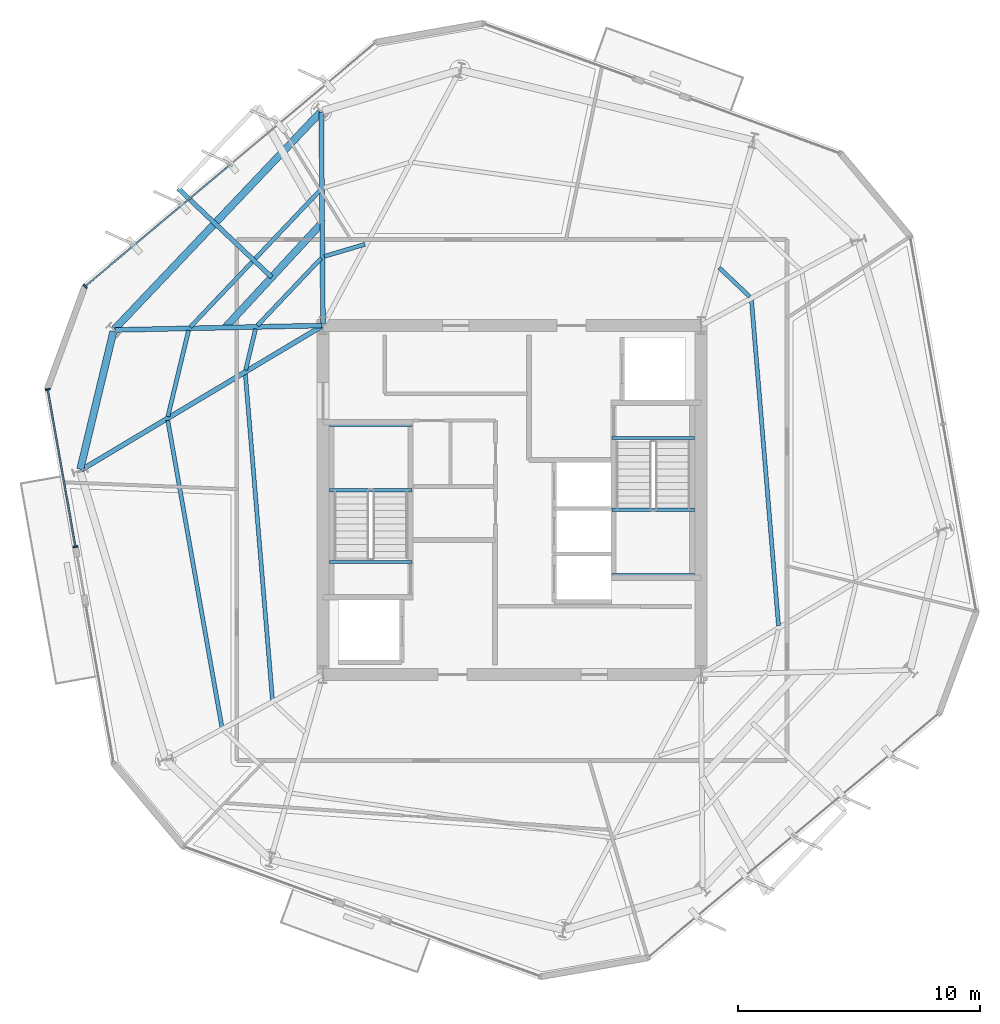
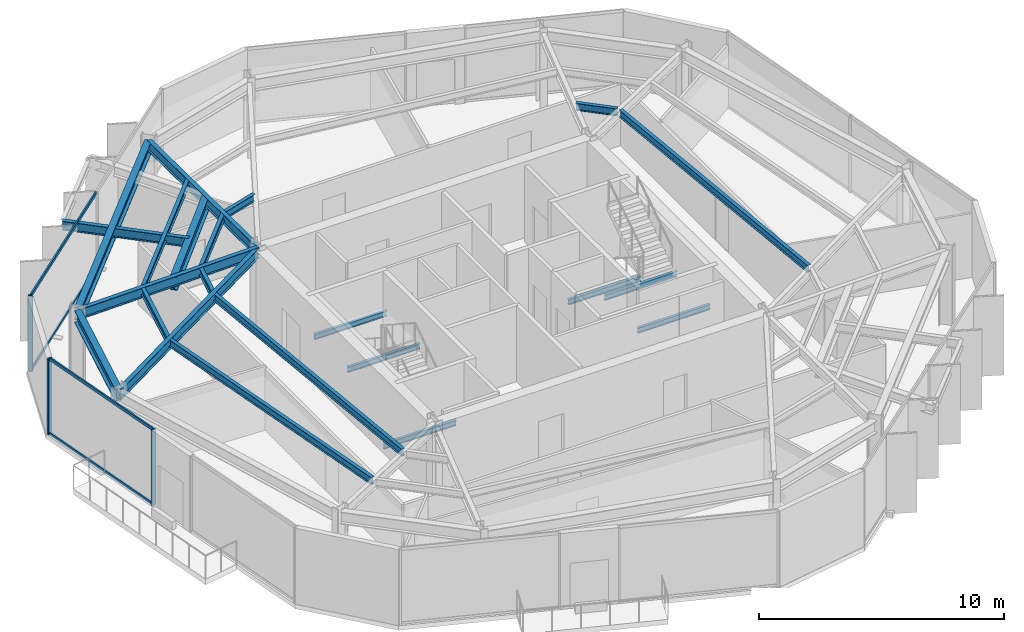
# One storey, part 3 of 11: 22 beams, 7 members, 2 elements without a shape of their own.
"""IFC4 building model written with IfcOpenShell, lengths in metres."""

from ifc_helpers import new_model, si_unit, direction, frame, origin, origin_2d, place, context, subcontext, project, spatial, rectangle, i_section, extrude, material, layer, layer_set, material_profile, profile_set, type_object, element, aggregate, save


model = new_model("IFC4")

# Units and contexts
model_context = context("Model", 3, precision=1e-05, world=origin(), true_north=direction((0.0, 1.0)))
body_context = subcontext(model_context, "Body", "Model", "MODEL_VIEW")
ifc_project = project(units=[si_unit("LENGTHUNIT", "METRE"), si_unit("AREAUNIT", "SQUARE_METRE"), si_unit("VOLUMEUNIT", "CUBIC_METRE"), si_unit("PLANEANGLEUNIT", "RADIAN"), si_unit("MASSUNIT", "GRAM", prefix="KILO")], contexts=[model_context])

# Site, building, storey
site_placement = place(None, origin())
site = spatial("IfcSite", under=ifc_project, at=site_placement, CompositionType="ELEMENT")
building_placement = place(site_placement, origin())
building = spatial("IfcBuilding", under=site, at=building_placement, Name="Kranzbogen Civic Tower", CompositionType="ELEMENT")
storey_placement = place(building_placement, frame((0.0, 0.0, 184.800048828125)))
storey = spatial("IfcBuildingStorey", under=building, at=storey_placement, Name="L44", CompositionType="ELEMENT", Elevation=184.800048828125)

# Beam
ifc_material_1 = material(Name="Steel S355", Category="steel")
ifc_material_profile_1 = material_profile(ifc_material_1, i_section(OverallWidth=0.18994140625, OverallDepth=0.449951171875, WebThickness=0.009521484375, FlangeThickness=0.0146484375, at=origin_2d()), Name="IPE 450")
ifc_profile_set_1 = profile_set([ifc_material_profile_1], Name="Steel S355")
beam_type_1 = type_object("IfcBeamType", Name="Braced Terrace Edge Beam IPE 450", PredefinedType="BEAM", material=ifc_profile_set_1)
beam_1_placement = place(storey_placement, frame((15.0859375, 34.19189453125, 3.52490234375), z_axis=(-0.725373141087, 0.688355871762, 0.0), x_axis=(-0.688355871762, -0.725373141087, 0.0)))
element("IfcBeam", 1, at=beam_1_placement, inside=storey, type_object=beam_type_1, Name="L45 back-spanned terrace beam L45-TB2-2", PredefinedType="BEAM", context=body_context, shape_type="SweptSolid", body=[
    extrude(i_section(OverallWidth=0.18994140625, OverallDepth=0.449951171875, WebThickness=0.009521484375, FlangeThickness=0.0146484375, at=origin_2d()), origin(), (0.0, 0.0, 1.0), 5.31591796875),
])

# Curtain wall, member
ifc_material_2 = material(Name="Pale Anodised Aluminium", Category="aluminium")
ifc_layer = layer(ifc_material_2, 0.219970703125, Name="Pale Anodised Aluminium")
ifc_layer_set = layer_set([ifc_layer], Name="Pale Anodised Aluminium")
curtain_wall_type = type_object("IfcCurtainWallType", Name="Zone 3 Stick Curtain Wall System CW-04", PredefinedType="USERDEFINED", material=ifc_layer_set)
curtain_wall_1_placement = place(storey_placement, origin())
curtain_wall_1 = element("IfcCurtainWall", 2, at=curtain_wall_1_placement, inside=storey, type_object=curtain_wall_type, Name="L44 curtain wall CW-L44-F2", ObjectType="STICK CURTAIN WALL", PredefinedType="USERDEFINED")
ifc_material_profile_2 = material_profile(ifc_material_2, rectangle(XDim=0.070068359375, YDim=0.199951171875, at=origin_2d()), Name="ALU-M 70x200")
ifc_profile_set_2 = profile_set([ifc_material_profile_2], Name="Pale Anodised Aluminium")
member_type_1 = type_object("IfcMemberType", Name="Curtain Wall Mullion ALU-M 70x200", PredefinedType="MULLION", material=ifc_profile_set_2)
member_1_placement = place(storey_placement, frame((7.389892578125, 33.815185546875, 0.0), z_axis=(0.0, 0.0, 1.0), x_axis=(-0.766072212874, -0.642754513529, 0.0)))
member_1 = element("IfcMember", 3, at=member_1_placement, type_object=member_type_1, Name="CW-04 mullion 3", PredefinedType="MULLION", context=body_context, shape_type="SweptSolid", body=[
    extrude(rectangle(XDim=0.070068359375, YDim=0.199951171875, at=origin_2d()), origin(), (0.0, 0.0, 1.0), 3.780029296875),
])

# Curtain wall, members
curtain_wall_2_placement = place(storey_placement, origin())
curtain_wall_2 = element("IfcCurtainWall", 4, at=curtain_wall_2_placement, inside=storey, type_object=curtain_wall_type, Name="L44 curtain wall CW-L44-F3-S1", ObjectType="STICK CURTAIN WALL", PredefinedType="USERDEFINED")
member_2_placement = place(storey_placement, frame((5.84423828125, 29.56640625, 0.0), z_axis=(0.0, 0.0, 1.0), x_axis=(0.173605264532, -0.984815318792, 0.0)))
member_2 = element("IfcMember", 5, at=member_2_placement, type_object=member_type_1, Name="CW-04 mullion 1", PredefinedType="MULLION", context=body_context, shape_type="SweptSolid", body=[
    extrude(rectangle(XDim=0.070068359375, YDim=0.199951171875, at=origin_2d()), origin(), (0.0, 0.0, 1.0), 3.780029296875),
])
member_3_placement = place(storey_placement, frame((6.98876953125, 23.073486328125, 0.0), z_axis=(0.0, 0.0, 1.0), x_axis=(0.173605264532, -0.984815318792, 0.0)))
member_3 = element("IfcMember", 6, at=member_3_placement, type_object=member_type_1, Name="CW-04 mullion 2", PredefinedType="MULLION", context=body_context, shape_type="SweptSolid", body=[
    extrude(rectangle(XDim=0.070068359375, YDim=0.199951171875, at=origin_2d()), origin(), (0.0, 0.0, 1.0), 3.780029296875),
])

# Member
ifc_material_profile_3 = material_profile(ifc_material_2, rectangle(XDim=0.070068359375, YDim=0.14990234375, at=origin_2d()), Name="ALU-T 70x150")
ifc_profile_set_3 = profile_set([ifc_material_profile_3], Name="Pale Anodised Aluminium")
member_type_2 = type_object("IfcMemberType", Name="Curtain Wall Transom ALU-T 70x150", PredefinedType="USERDEFINED", material=ifc_profile_set_3)
member_4_placement = place(storey_placement, frame((13.360595703125, 38.82470703125, 0.030029296875), z_axis=(-0.766064667028, -0.642763507001, 0.0), x_axis=(0.642763507001, -0.766064667028, 0.0)))
member_4 = element("IfcMember", 7, at=member_4_placement, type_object=member_type_2, Name="CW-04 transom 2.1", ObjectType="TRANSOM", PredefinedType="USERDEFINED", context=body_context, shape_type="SweptSolid", body=[
    extrude(rectangle(XDim=0.070068359375, YDim=0.14990234375, at=origin_2d()), origin(), (0.0, 0.0, 1.0), 7.763671875),
])

member_5_placement = place(storey_placement, frame((13.360595703125, 38.82470703125, 3.75), z_axis=(-0.766064667028, -0.642763507001, 0.0), x_axis=(0.642763507001, -0.766064667028, 0.0)))
member_5 = element("IfcMember", 8, at=member_5_placement, type_object=member_type_2, Name="CW-04 transom 2.2", ObjectType="TRANSOM", PredefinedType="USERDEFINED", context=body_context, shape_type="SweptSolid", body=[
    extrude(rectangle(XDim=0.070068359375, YDim=0.14990234375, at=origin_2d()), origin(), (0.0, 0.0, 1.0), 7.763671875),
])

aggregate(curtain_wall_1, [member_1, member_4, member_5])

member_6_placement = place(storey_placement, frame((5.849365234375, 29.536865234375, 0.030029296875), z_axis=(0.17362117923, -0.984812513183, 0.0), x_axis=(0.984812513183, 0.17362117923, 0.0)))
member_6 = element("IfcMember", 9, at=member_6_placement, type_object=member_type_2, Name="CW-04 transom 1.1", ObjectType="TRANSOM", PredefinedType="USERDEFINED", context=body_context, shape_type="SweptSolid", body=[
    extrude(rectangle(XDim=0.070068359375, YDim=0.14990234375, at=origin_2d()), origin(), (0.0, 0.0, 1.0), 6.532958984375),
])

member_7_placement = place(storey_placement, frame((5.849365234375, 29.536865234375, 3.75), z_axis=(0.17362117923, -0.984812513183, 0.0), x_axis=(0.984812513183, 0.17362117923, 0.0)))
member_7 = element("IfcMember", 10, at=member_7_placement, type_object=member_type_2, Name="CW-04 transom 1.2", ObjectType="TRANSOM", PredefinedType="USERDEFINED", context=body_context, shape_type="SweptSolid", body=[
    extrude(rectangle(XDim=0.070068359375, YDim=0.14990234375, at=origin_2d()), origin(), (0.0, 0.0, 1.0), 6.532958984375),
])

aggregate(curtain_wall_2, [member_2, member_3, member_6, member_7])

# Beams
ifc_material_profile_4 = material_profile(ifc_material_1, i_section(OverallWidth=0.300048828125, OverallDepth=0.60009765625, WebThickness=0.015380859375, FlangeThickness=0.030029296875, at=origin_2d()), Name="HEB 600")
ifc_profile_set_4 = profile_set([ifc_material_profile_4], Name="Steel S355")
beam_type_2 = type_object("IfcBeamType", Name="Perimeter Tube Spandrel Beam HEB 600", PredefinedType="SPANDREL", material=ifc_profile_set_4)
beam_2_placement = place(storey_placement, frame((17.092041015625, 41.0, 3.47998046875), z_axis=(-0.688373497874, -0.725356414065, 0.0), x_axis=(0.725356414065, -0.688373497874, 0.0)))
element("IfcBeam", 11, at=beam_2_placement, inside=storey, type_object=beam_type_2, Name="L44 perimeter spandrel beam 10", PredefinedType="SPANDREL", context=body_context, shape_type="SweptSolid", body=[
    extrude(i_section(OverallWidth=0.300048828125, OverallDepth=0.60009765625, WebThickness=0.015380859375, FlangeThickness=0.030029296875, at=origin_2d()), origin(), (0.0, 0.0, 1.0), 12.324951171875),
])
beam_3_placement = place(storey_placement, frame((8.552978515625, 31.9580078125, 3.47998046875), z_axis=(-0.233554380434, -0.972343741369, 0.0), x_axis=(0.972343741369, -0.233554380434, 0.0)))
element("IfcBeam", 12, at=beam_3_placement, inside=storey, type_object=beam_type_2, Name="L44 perimeter spandrel beam 11", PredefinedType="SPANDREL", context=body_context, shape_type="SweptSolid", body=[
    extrude(i_section(OverallWidth=0.300048828125, OverallDepth=0.60009765625, WebThickness=0.015380859375, FlangeThickness=0.030029296875, at=origin_2d()), origin(), (0.0, 0.0, 1.0), 5.852783203125),
])
ifc_material_profile_5 = material_profile(ifc_material_1, i_section(OverallWidth=0.300048828125, OverallDepth=0.699951171875, WebThickness=0.01708984375, FlangeThickness=0.031982421875, at=origin_2d()), Name="HEB 700")
ifc_profile_set_5 = profile_set([ifc_material_profile_5], Name="Steel S355")
beam_type_3 = type_object("IfcBeamType", Name="Perimeter Tube Spandrel Beam HEB 700", PredefinedType="SPANDREL", material=ifc_profile_set_5)
beam_4_placement = place(storey_placement, frame((17.16796875, 36.444091796875, 3.39990234375), z_axis=(-0.678733988671, -0.734384213218, 0.0), x_axis=(0.734384213218, -0.678733988671, 0.0)))
element("IfcBeam", 13, at=beam_4_placement, inside=storey, type_object=beam_type_3, Name="L45 balcony back-span header girder L45-TB2", PredefinedType="SPANDREL", context=body_context, shape_type="SweptSolid", body=[
    extrude(i_section(OverallWidth=0.300048828125, OverallDepth=0.699951171875, WebThickness=0.01708984375, FlangeThickness=0.031982421875, at=origin_2d()), origin(), (0.0, 0.0, 1.0), 5.896240234375),
])
ifc_material_profile_6 = material_profile(ifc_material_1, i_section(OverallWidth=0.199951171875, OverallDepth=0.5, WebThickness=0.01025390625, FlangeThickness=0.01611328125, at=origin_2d()), Name="IPE 500")
ifc_profile_set_6 = profile_set([ifc_material_profile_6], Name="Steel S355")
beam_type_4 = type_object("IfcBeamType", Name="Radial Tower Floor Girder IPE 500", PredefinedType="BEAM", material=ifc_profile_set_6)
beam_5_placement = place(storey_placement, frame((17.133056640625, 40.98388671875, 3.530029296875), z_axis=(0.007667756557, -0.999970602323, 0.0), x_axis=(0.999970602323, 0.007667756557, 0.0)))
element("IfcBeam", 14, at=beam_5_placement, inside=storey, type_object=beam_type_4, Name="L44 radial floor girder 10", PredefinedType="BEAM", context=body_context, shape_type="SweptSolid", body=[
    extrude(i_section(OverallWidth=0.199951171875, OverallDepth=0.5, WebThickness=0.01025390625, FlangeThickness=0.01611328125, at=origin_2d()), origin(), (0.0, 0.0, 1.0), 8.72412109375),
])
beam_6_placement = place(storey_placement, frame((8.626953125, 32.01708984375, 3.530029296875), z_axis=(0.99977183191, 0.021360808018, 0.0), x_axis=(-0.021360808018, 0.99977183191, 0.0)))
element("IfcBeam", 15, at=beam_6_placement, inside=storey, type_object=beam_type_4, Name="L44 radial floor girder 11", PredefinedType="BEAM", context=body_context, shape_type="SweptSolid", body=[
    extrude(i_section(OverallWidth=0.199951171875, OverallDepth=0.5, WebThickness=0.01025390625, FlangeThickness=0.01611328125, at=origin_2d()), origin(), (0.0, 0.0, 1.0), 8.514892578125),
])
beam_7_placement = place(storey_placement, frame((7.22412109375, 26.239990234375, 3.530029296875), z_axis=(0.858458551809, 0.512882944565, 0.0), x_axis=(-0.512882944565, 0.858458551809, 0.0)))
element("IfcBeam", 16, at=beam_7_placement, inside=storey, type_object=beam_type_4, Name="L44 radial floor girder 12", PredefinedType="BEAM", context=body_context, shape_type="SweptSolid", body=[
    extrude(i_section(OverallWidth=0.199951171875, OverallDepth=0.5, WebThickness=0.01025390625, FlangeThickness=0.01611328125, at=origin_2d()), origin(), (0.0, 0.0, 1.0), 11.56005859375),
])
ifc_material_profile_7 = material_profile(ifc_material_1, i_section(OverallWidth=0.169921875, OverallDepth=0.360107421875, WebThickness=0.008056640625, FlangeThickness=0.0126953125, at=origin_2d()), Name="IPE 360")
ifc_profile_set_7 = profile_set([ifc_material_profile_7], Name="Steel S355")
beam_type_5 = type_object("IfcBeamType", Name="Secondary Composite Floor Joist IPE 360", PredefinedType="JOIST", material=ifc_profile_set_7)
beam_8_placement = place(storey_placement, frame((36.001953125, 19.797119140625, 3.599853515625), z_axis=(-0.082825426692, 0.996564071544, 0.0), x_axis=(-0.996564071544, -0.082825426692, 0.0)))
element("IfcBeam", 17, at=beam_8_placement, inside=storey, type_object=beam_type_5, Name="L44 secondary floor joist 2.06", PredefinedType="JOIST", context=body_context, shape_type="SweptSolid", body=[
    extrude(i_section(OverallWidth=0.169921875, OverallDepth=0.360107421875, WebThickness=0.008056640625, FlangeThickness=0.0126953125, at=origin_2d()), origin(), (0.0, 0.0, 1.0), 13.497314453125),
])
beam_9_placement = place(storey_placement, frame((34.820068359375, 33.383056640625, 3.599853515625), z_axis=(-0.725479767774, 0.688243493649, 0.0), x_axis=(-0.688243493649, -0.725479767774, 0.0)))
element("IfcBeam", 18, at=beam_9_placement, inside=storey, type_object=beam_type_5, Name="L44 secondary floor joist 2.07", PredefinedType="JOIST", context=body_context, shape_type="SweptSolid", body=[
    extrude(i_section(OverallWidth=0.169921875, OverallDepth=0.360107421875, WebThickness=0.008056640625, FlangeThickness=0.0126953125, at=origin_2d()), origin(), (0.0, 0.0, 1.0), 1.75048828125),
])
beam_10_placement = place(storey_placement, frame((18.93408203125, 35.550048828125, 3.599853515625), z_axis=(-0.958871214757, -0.283841493638, 0.0), x_axis=(0.283841493638, -0.958871214757, 0.0)))
element("IfcBeam", 19, at=beam_10_placement, inside=storey, type_object=beam_type_5, Name="L44 secondary floor joist 2.09", PredefinedType="JOIST", context=body_context, shape_type="SweptSolid", body=[
    extrude(i_section(OverallWidth=0.169921875, OverallDepth=0.360107421875, WebThickness=0.008056640625, FlangeThickness=0.0126953125, at=origin_2d()), origin(), (0.0, 0.0, 1.0), 1.751220703125),
])
beam_11_placement = place(storey_placement, frame((17.10205078125, 37.802001953125, 3.599853515625), z_axis=(-0.688282381634, -0.725442873789, 0.0), x_axis=(0.725442873789, -0.688282381634, 0.0)))
element("IfcBeam", 20, at=beam_11_placement, inside=storey, type_object=beam_type_5, Name="L44 secondary floor joist 1.10", PredefinedType="JOIST", context=body_context, shape_type="SweptSolid", body=[
    extrude(i_section(OverallWidth=0.169921875, OverallDepth=0.360107421875, WebThickness=0.008056640625, FlangeThickness=0.0126953125, at=origin_2d()), origin(), (0.0, 0.0, 1.0), 7.804931640625),
])
beam_12_placement = place(storey_placement, frame((17.123046875, 34.971923828125, 3.599853515625), z_axis=(-0.688175084876, -0.725544659243, 0.0), x_axis=(0.725544659243, -0.688175084876, 0.0)))
element("IfcBeam", 21, at=beam_12_placement, inside=storey, type_object=beam_type_5, Name="L44 secondary floor joist 2.10", PredefinedType="JOIST", context=body_context, shape_type="SweptSolid", body=[
    extrude(i_section(OverallWidth=0.169921875, OverallDepth=0.360107421875, WebThickness=0.008056640625, FlangeThickness=0.0126953125, at=origin_2d()), origin(), (0.0, 0.0, 1.0), 3.82177734375),
])
beam_13_placement = place(storey_placement, frame((11.656005859375, 32.00390625, 3.599853515625), z_axis=(-0.233534367714, -0.972348548154, 0.0), x_axis=(0.972348548154, -0.233534367714, 0.0)))
element("IfcBeam", 22, at=beam_13_placement, inside=storey, type_object=beam_type_5, Name="L44 secondary floor joist 1.11", PredefinedType="JOIST", context=body_context, shape_type="SweptSolid", body=[
    extrude(i_section(OverallWidth=0.169921875, OverallDepth=0.360107421875, WebThickness=0.008056640625, FlangeThickness=0.0126953125, at=origin_2d()), origin(), (0.0, 0.0, 1.0), 3.6611328125),
])
beam_14_placement = place(storey_placement, frame((14.4189453125, 32.06298828125, 3.599853515625), z_axis=(-0.233631438607, -0.972325228972, 0.0), x_axis=(0.972325228972, -0.233631438607, 0.0)))
element("IfcBeam", 23, at=beam_14_placement, inside=storey, type_object=beam_type_5, Name="L44 secondary floor joist 2.11", PredefinedType="JOIST", context=body_context, shape_type="SweptSolid", body=[
    extrude(i_section(OverallWidth=0.169921875, OverallDepth=0.360107421875, WebThickness=0.008056640625, FlangeThickness=0.0126953125, at=origin_2d()), origin(), (0.0, 0.0, 1.0), 1.750244140625),
])
beam_15_placement = place(storey_placement, frame((10.7958984375, 28.287109375, 3.599853515625), z_axis=(0.173805911364, -0.984779927281, 0.0), x_axis=(0.984779927281, 0.173805911364, 0.0)))
element("IfcBeam", 24, at=beam_15_placement, inside=storey, type_object=beam_type_5, Name="L44 secondary floor joist 1.12", PredefinedType="JOIST", context=body_context, shape_type="SweptSolid", body=[
    extrude(i_section(OverallWidth=0.169921875, OverallDepth=0.360107421875, WebThickness=0.008056640625, FlangeThickness=0.0126953125, at=origin_2d()), origin(), (0.0, 0.0, 1.0), 12.85986328125),
])
beam_16_placement = place(storey_placement, frame((13.998046875, 30.202880859375, 3.599853515625), z_axis=(0.082825426692, -0.996564071544, 0.0), x_axis=(0.996564071544, 0.082825426692, 0.0)))
element("IfcBeam", 25, at=beam_16_placement, inside=storey, type_object=beam_type_5, Name="L44 secondary floor joist 2.12", PredefinedType="JOIST", context=body_context, shape_type="SweptSolid", body=[
    extrude(i_section(OverallWidth=0.169921875, OverallDepth=0.360107421875, WebThickness=0.008056640625, FlangeThickness=0.0126953125, at=origin_2d()), origin(), (0.0, 0.0, 1.0), 13.497314453125),
])
ifc_material_profile_8 = material_profile(ifc_material_1, i_section(OverallWidth=0.135009765625, OverallDepth=0.27001953125, WebThickness=0.006591796875, FlangeThickness=0.01025390625, at=origin_2d()), Name="IPE 270")
ifc_profile_set_8 = profile_set([ifc_material_profile_8], Name="Steel S355")
beam_type_6 = type_object("IfcBeamType", Name="Stair Landing Support Beam IPE 270", PredefinedType="JOIST", material=ifc_profile_set_8)
for number, where, z_axis, x_axis, name in (
    (26, (20.8798828125, 22.43994140625, -0.35498046875), (-1.0, 0.0, 0.0), (0.0, -1.0, 0.0), "L44 ST-T1 stair floor header beam"),
    (27, (20.8798828125, 25.39990234375, 1.6650390625), (-1.0, 0.0, 0.0), (0.0, -1.0, 0.0), "L44 ST-T1 landing support beam 1.1"),
    (28, (20.8798828125, 28.10009765625, 1.6650390625), (-1.0, 0.0, 0.0), (0.0, -1.0, 0.0), "L44 ST-T1 landing support beam 1.2"),
    (29, (29.1201171875, 27.56005859375, -0.35498046875), (1.0, 0.0, 0.0), (0.0, 1.0, 0.0), "L44 ST-T2 stair floor header beam"),
    (30, (29.1201171875, 24.60009765625, 1.6650390625), (1.0, 0.0, 0.0), (0.0, 1.0, 0.0), "L44 ST-T2 landing support beam 1.1"),
    (31, (29.1201171875, 21.89990234375, 1.6650390625), (1.0, 0.0, 0.0), (0.0, 1.0, 0.0), "L44 ST-T2 landing support beam 1.2"),
):
    element("IfcBeam", number, at=place(storey_placement, frame(where, z_axis=z_axis, x_axis=x_axis)), inside=storey, type_object=beam_type_6, Name=name, PredefinedType="JOIST", context=body_context, shape_type="SweptSolid", body=[
        extrude(i_section(OverallWidth=0.135009765625, OverallDepth=0.27001953125, WebThickness=0.006591796875, FlangeThickness=0.01025390625, at=origin_2d()), origin(), (0.0, 0.0, 1.0), 3.409912109375),
    ])

save(model, "model.ifc")
